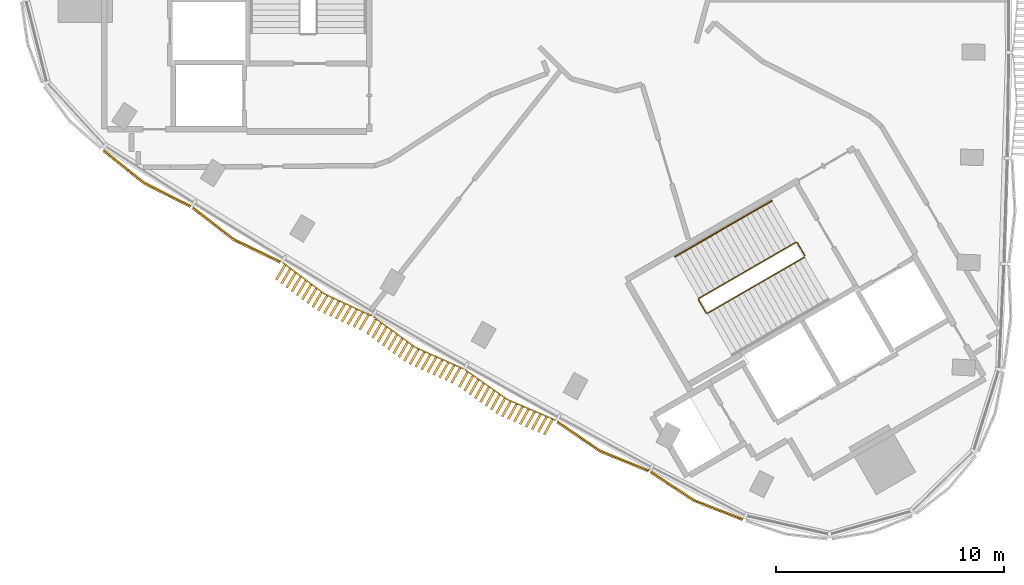
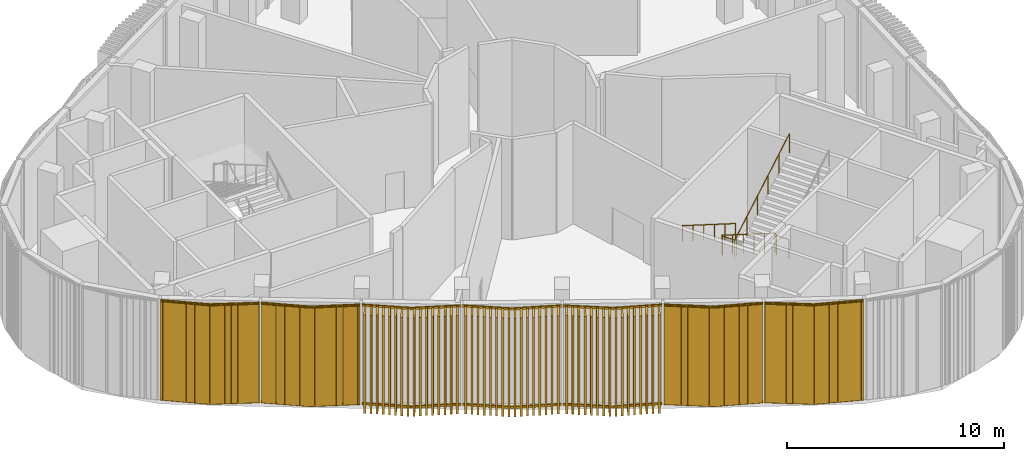
# One storey, part 7 of 11: 7 coverings, 2 railings.
"""IFC4 building model written with IfcOpenShell, lengths in metres."""

from ifc_helpers import new_model, si_unit, direction, frame, frame_2d, origin, origin_2d, place, context, subcontext, project, spatial, rectangle, circle, extrude, source, transform, mapped, material, type_object, element, save


model = new_model("IFC4")

# Units and contexts
model_context = context("Model", 3, precision=1e-05, world=origin(), true_north=direction((0.0, 1.0)))
body_context = subcontext(model_context, "Body", "Model", "MODEL_VIEW")
ifc_project = project(units=[si_unit("LENGTHUNIT", "METRE"), si_unit("AREAUNIT", "SQUARE_METRE"), si_unit("VOLUMEUNIT", "CUBIC_METRE"), si_unit("PLANEANGLEUNIT", "RADIAN"), si_unit("MASSUNIT", "GRAM", prefix="KILO")], contexts=[model_context])

# Site, building, storey
site_placement = place(None, origin())
site = spatial("IfcSite", under=ifc_project, at=site_placement, CompositionType="ELEMENT")
building_placement = place(site_placement, origin())
building = spatial("IfcBuilding", under=site, at=building_placement, Name="Tamra Quay Hotel Tower", CompositionType="ELEMENT")
storey_placement = place(building_placement, frame((0.0, 0.0, 306.60009765625)))
storey = spatial("IfcBuildingStorey", under=building, at=storey_placement, Name="L77", CompositionType="ELEMENT", Elevation=306.60009765625)

# Railings
ifc_material_1 = material(Name="Stair guard 1100")
railing_type_1 = type_object("IfcRailingType", Name="Stair guard 1100", PredefinedType="GUARDRAIL", material=ifc_material_1)
railing_1_placement = place(storey_placement, frame((8.245849609375, -11.221923828125, 0.0)))
element("IfcRailing", 1, at=railing_1_placement, inside=storey, type_object=railing_type_1, Name="GR", PredefinedType="GUARDRAIL", context=body_context, shape_type="SweptSolid", body=[
    extrude(circle(Radius=0.02392578125, at=origin_2d()), frame((0.0, 0.0, 1.076171875), z_axis=(-0.500043078269, 0.866000531106, 0.0), x_axis=(-0.866000531106, -0.500043078269, 0.0)), (0.0, 0.0, 1.0), 0.6591796875),
    extrude(circle(Radius=0.02392578125, at=origin_2d()), frame((-0.32958984375, 0.57080078125, 1.076171875), z_axis=(-0.41238007866, 0.110458949641, 0.904290601062), x_axis=(-0.258736085224, -0.965948051503, 0.0)), (0.0, 0.0, 1.0), 0.165771484375),
    extrude(circle(Radius=0.02392578125, at=origin_2d()), frame((-0.39794921875, 0.589111328125, 1.22607421875), z_axis=(-0.748672028886, -0.432247440648, 0.502645345365), x_axis=(0.500001252094, -0.866024680886, 0.0)), (0.0, 0.0, 1.0), 5.670166015625),
    extrude(circle(Radius=0.02392578125, at=origin_2d()), frame((-4.64306640625, -1.86181640625, 4.076171875), z_axis=(-0.258736085224, -0.965948051503, 0.0), x_axis=(0.965948051503, -0.258736085224, 0.0)), (0.0, 0.0, 1.0), 0.07080078125),
    extrude(circle(Radius=0.02392578125, at=origin_2d()), frame((-4.661376953125, -1.93017578125, 4.076171875), z_axis=(0.499765215335, -0.866160914346, 0.0), x_axis=(0.866160914346, 0.499765215335, 0.0)), (0.0, 0.0, 1.0), 0.658935546875),
    extrude(circle(Radius=0.02392578125, at=origin_2d()), frame((-4.33203125, -2.5009765625, 4.076171875), z_axis=(0.41238007866, -0.110458949641, 0.904290601062), x_axis=(0.258736085224, 0.965948051503, 0.0)), (0.0, 0.0, 1.0), 0.165771484375),
    extrude(circle(Radius=0.02392578125, at=origin_2d()), frame((-4.263671875, -2.519287109375, 4.22607421875), z_axis=(0.748677017577, 0.432268517826, 0.502619788556), x_axis=(-0.500017038671, 0.86601556628, 0.0)), (0.0, 0.0, 1.0), 5.67041015625),
    extrude(circle(Radius=0.02099609375, at=origin_2d()), origin(), (0.0, 0.0, 1.0), 1.052001953125),
    extrude(circle(Radius=0.02099609375, at=origin_2d()), frame((-0.32958984375, 0.57080078125, 0.0)), (0.0, 0.0, 1.0), 1.052001953125),
    extrude(circle(Radius=0.02099609375, at=origin_2d()), frame((-0.39794921875, 0.589111328125, 0.14990234375)), (0.0, 0.0, 1.0), 1.052001953125),
    extrude(circle(Radius=0.02099609375, at=origin_2d()), frame((-1.2470703125, 0.098876953125, 0.719970703125)), (0.0, 0.0, 1.0), 1.052001953125),
    extrude(circle(Radius=0.02099609375, at=origin_2d()), frame((-2.095947265625, -0.391357421875, 1.2900390625)), (0.0, 0.0, 1.0), 1.052001953125),
    extrude(circle(Radius=0.02099609375, at=origin_2d()), frame((-2.945068359375, -0.88134765625, 1.85986328125)), (0.0, 0.0, 1.0), 1.052001953125),
    extrude(circle(Radius=0.02099609375, at=origin_2d()), frame((-3.7939453125, -1.37158203125, 2.429931640625)), (0.0, 0.0, 1.0), 1.052001953125),
    extrude(circle(Radius=0.02099609375, at=origin_2d()), frame((-4.64306640625, -1.86181640625, 3.0)), (0.0, 0.0, 1.0), 1.052001953125),
    extrude(circle(Radius=0.02099609375, at=origin_2d()), frame((-4.661376953125, -1.93017578125, 3.0)), (0.0, 0.0, 1.0), 1.052001953125),
    extrude(circle(Radius=0.02099609375, at=origin_2d()), frame((-4.33203125, -2.5009765625, 3.0)), (0.0, 0.0, 1.0), 1.052001953125),
    extrude(circle(Radius=0.02099609375, at=origin_2d()), frame((-4.263671875, -2.519287109375, 3.14990234375)), (0.0, 0.0, 1.0), 1.052001953125),
    extrude(circle(Radius=0.02099609375, at=origin_2d()), frame((-3.41455078125, -2.029052734375, 3.719970703125)), (0.0, 0.0, 1.0), 1.052001953125),
    extrude(circle(Radius=0.02099609375, at=origin_2d()), frame((-2.5654296875, -1.538818359375, 4.2900390625)), (0.0, 0.0, 1.0), 1.052001953125),
    extrude(circle(Radius=0.02099609375, at=origin_2d()), frame((-1.716552734375, -1.048583984375, 4.85986328125)), (0.0, 0.0, 1.0), 1.052001953125),
    extrude(circle(Radius=0.02099609375, at=origin_2d()), frame((-0.867431640625, -0.558349609375, 5.429931640625)), (0.0, 0.0, 1.0), 1.052001953125),
    extrude(circle(Radius=0.02099609375, at=origin_2d()), frame((-0.018310546875, -0.068115234375, 6.0)), (0.0, 0.0, 1.0), 1.052001953125),
])
ifc_material_2 = material(Name="Stair handrail 900")
railing_type_2 = type_object("IfcRailingType", Name="Stair handrail 900", PredefinedType="HANDRAIL", material=ifc_material_2)
railing_2_placement = place(storey_placement, frame((6.7978515625, -8.814208984375, 0.14990234375)))
element("IfcRailing", 2, at=railing_2_placement, inside=storey, type_object=railing_type_2, Name="HR", PredefinedType="HANDRAIL", context=body_context, shape_type="SweptSolid", body=[
    extrude(circle(Radius=0.02392578125, at=origin_2d()), frame((0.0, 0.0, 0.8759765625), z_axis=(-0.748672028886, -0.432247440648, 0.502645345365), x_axis=(0.500001252094, -0.866024680886, 0.0)), (0.0, 0.0, 1.0), 5.670166015625),
    extrude(circle(Radius=0.02099609375, at=origin_2d()), origin(), (0.0, 0.0, 1.0), 0.851806640625),
    extrude(circle(Radius=0.02099609375, at=origin_2d()), frame((-0.84912109375, -0.490234375, 0.570068359375)), (0.0, 0.0, 1.0), 0.851806640625),
    extrude(circle(Radius=0.02099609375, at=origin_2d()), frame((-1.697998046875, -0.98046875, 1.14013671875)), (0.0, 0.0, 1.0), 0.851806640625),
    extrude(circle(Radius=0.02099609375, at=origin_2d()), frame((-2.547119140625, -1.470458984375, 1.7099609375)), (0.0, 0.0, 1.0), 0.851806640625),
    extrude(circle(Radius=0.02099609375, at=origin_2d()), frame((-3.39599609375, -1.960693359375, 2.280029296875)), (0.0, 0.0, 1.0), 0.851806640625),
    extrude(circle(Radius=0.02099609375, at=origin_2d()), frame((-4.2451171875, -2.450927734375, 2.85009765625)), (0.0, 0.0, 1.0), 0.851806640625),
])

# Coverings
ifc_material_3 = material(Name="Terracotta baguette extruded", Category="masonry")
covering_type_1 = type_object("IfcCoveringType", Name="BAGUETTE SCREEN SW-SHALLOW H5650", PredefinedType="USERDEFINED", material=ifc_material_3)
shared_shape_1 = source(origin(), body_context, "Body", "SweptSolid", [
    extrude(rectangle(XDim=2.284912109375, YDim=0.06005859375, at=frame_2d((1.142578125, 0.030029296875))), frame((-2.27880859375, -0.0576171875, -0.1201171875), z_axis=(0.0, 0.0, 1.0), x_axis=(0.994521895368, -0.104528463268, 0.0)), (0.0, 0.0, 1.0), 0.1201171875),
    extrude(rectangle(XDim=2.284912109375, YDim=0.06005859375, at=frame_2d((1.142578125, 0.030029296875))), frame((-2.27880859375, -0.0576171875, -5.64990234375), z_axis=(0.0, 0.0, 1.0), x_axis=(0.994521895368, -0.104528463268, 0.0)), (0.0, 0.0, 1.0), 0.1201171875),
    extrude(rectangle(XDim=0.094970703125, YDim=0.10009765625, at=frame_2d((0.04736328125, 0.050048828125))), frame((-2.2705078125, -0.13330078125, -5.590087890625)), (0.0, 0.0, 1.0), 5.530029296875),
    extrude(rectangle(XDim=0.094970703125, YDim=0.10009765625, at=frame_2d((0.04736328125, 0.050048828125))), frame((-2.171875, -0.1435546875, -5.590087890625)), (0.0, 0.0, 1.0), 5.530029296875),
    extrude(rectangle(XDim=0.094970703125, YDim=0.10009765625, at=frame_2d((0.04736328125, 0.050048828125))), frame((-2.072998046875, -0.154052734375, -5.590087890625)), (0.0, 0.0, 1.0), 5.530029296875),
    extrude(rectangle(XDim=0.094970703125, YDim=0.10009765625, at=frame_2d((0.04736328125, 0.050048828125))), frame((-1.97412109375, -0.164306640625, -5.590087890625)), (0.0, 0.0, 1.0), 5.530029296875),
    extrude(rectangle(XDim=0.094970703125, YDim=0.10009765625, at=frame_2d((0.04736328125, 0.050048828125))), frame((-1.87548828125, -0.1748046875, -5.590087890625)), (0.0, 0.0, 1.0), 5.530029296875),
    extrude(rectangle(XDim=0.094970703125, YDim=0.10009765625, at=frame_2d((0.04736328125, 0.050048828125))), frame((-1.776611328125, -0.18505859375, -5.590087890625)), (0.0, 0.0, 1.0), 5.530029296875),
    extrude(rectangle(XDim=0.094970703125, YDim=0.10009765625, at=frame_2d((0.04736328125, 0.050048828125))), frame((-1.677734375, -0.195556640625, -5.590087890625)), (0.0, 0.0, 1.0), 5.530029296875),
    extrude(rectangle(XDim=0.094970703125, YDim=0.10009765625, at=frame_2d((0.04736328125, 0.050048828125))), frame((-1.578857421875, -0.205810546875, -5.590087890625)), (0.0, 0.0, 1.0), 5.530029296875),
    extrude(rectangle(XDim=0.094970703125, YDim=0.10009765625, at=frame_2d((0.04736328125, 0.050048828125))), frame((-1.480224609375, -0.21630859375, -5.590087890625)), (0.0, 0.0, 1.0), 5.530029296875),
    extrude(rectangle(XDim=0.094970703125, YDim=0.10009765625, at=frame_2d((0.04736328125, 0.050048828125))), frame((-1.38134765625, -0.2265625, -5.590087890625)), (0.0, 0.0, 1.0), 5.530029296875),
    extrude(rectangle(XDim=0.094970703125, YDim=0.10009765625, at=frame_2d((0.04736328125, 0.050048828125))), frame((-1.282470703125, -0.237060546875, -5.590087890625)), (0.0, 0.0, 1.0), 5.530029296875),
    extrude(rectangle(XDim=0.094970703125, YDim=0.10009765625, at=frame_2d((0.04736328125, 0.050048828125))), frame((-1.183837890625, -0.247314453125, -5.590087890625)), (0.0, 0.0, 1.0), 5.530029296875),
    extrude(rectangle(XDim=0.094970703125, YDim=0.10009765625, at=frame_2d((0.04736328125, 0.050048828125))), frame((-1.0849609375, -0.2578125, -5.590087890625)), (0.0, 0.0, 1.0), 5.530029296875),
    extrude(rectangle(XDim=0.094970703125, YDim=0.10009765625, at=frame_2d((0.04736328125, 0.050048828125))), frame((-0.986083984375, -0.268310546875, -5.590087890625)), (0.0, 0.0, 1.0), 5.530029296875),
    extrude(rectangle(XDim=0.094970703125, YDim=0.10009765625, at=frame_2d((0.04736328125, 0.050048828125))), frame((-0.887451171875, -0.278564453125, -5.590087890625)), (0.0, 0.0, 1.0), 5.530029296875),
    extrude(rectangle(XDim=0.094970703125, YDim=0.10009765625, at=frame_2d((0.04736328125, 0.050048828125))), frame((-0.78857421875, -0.2890625, -5.590087890625)), (0.0, 0.0, 1.0), 5.530029296875),
    extrude(rectangle(XDim=0.094970703125, YDim=0.10009765625, at=frame_2d((0.04736328125, 0.050048828125))), frame((-0.689697265625, -0.29931640625, -5.590087890625)), (0.0, 0.0, 1.0), 5.530029296875),
    extrude(rectangle(XDim=0.094970703125, YDim=0.10009765625, at=frame_2d((0.04736328125, 0.050048828125))), frame((-0.5908203125, -0.309814453125, -5.590087890625)), (0.0, 0.0, 1.0), 5.530029296875),
    extrude(rectangle(XDim=0.094970703125, YDim=0.10009765625, at=frame_2d((0.04736328125, 0.050048828125))), frame((-0.4921875, -0.320068359375, -5.590087890625)), (0.0, 0.0, 1.0), 5.530029296875),
    extrude(rectangle(XDim=0.094970703125, YDim=0.10009765625, at=frame_2d((0.04736328125, 0.050048828125))), frame((-0.393310546875, -0.33056640625, -5.590087890625)), (0.0, 0.0, 1.0), 5.530029296875),
    extrude(rectangle(XDim=0.094970703125, YDim=0.10009765625, at=frame_2d((0.04736328125, 0.050048828125))), frame((-0.29443359375, -0.3408203125, -5.590087890625)), (0.0, 0.0, 1.0), 5.530029296875),
    extrude(rectangle(XDim=0.094970703125, YDim=0.10009765625, at=frame_2d((0.04736328125, 0.050048828125))), frame((-0.19580078125, -0.351318359375, -5.590087890625)), (0.0, 0.0, 1.0), 5.530029296875),
    extrude(rectangle(XDim=0.094970703125, YDim=0.10009765625, at=frame_2d((0.04736328125, 0.050048828125))), frame((-0.096923828125, -0.361572265625, -5.590087890625)), (0.0, 0.0, 1.0), 5.530029296875),
    extrude(rectangle(XDim=2.284912109375, YDim=0.06005859375, at=frame_2d((1.142578125, 0.030029296875))), frame((0.00634765625, -0.296630859375, -0.1201171875), z_axis=(0.0, 0.0, 1.0), x_axis=(0.994521895368, 0.104528463268, 0.0)), (0.0, 0.0, 1.0), 0.1201171875),
    extrude(rectangle(XDim=2.284912109375, YDim=0.06005859375, at=frame_2d((1.142578125, 0.030029296875))), frame((0.00634765625, -0.296630859375, -5.64990234375), z_axis=(0.0, 0.0, 1.0), x_axis=(0.994521895368, 0.104528463268, 0.0)), (0.0, 0.0, 1.0), 0.1201171875),
    extrude(rectangle(XDim=0.094970703125, YDim=0.10009765625, at=frame_2d((0.04736328125, 0.050048828125))), frame((0.001953125, -0.361572265625, -5.590087890625)), (0.0, 0.0, 1.0), 5.530029296875),
    extrude(rectangle(XDim=0.094970703125, YDim=0.10009765625, at=frame_2d((0.04736328125, 0.050048828125))), frame((0.100830078125, -0.351318359375, -5.590087890625)), (0.0, 0.0, 1.0), 5.530029296875),
    extrude(rectangle(XDim=0.094970703125, YDim=0.10009765625, at=frame_2d((0.04736328125, 0.050048828125))), frame((0.199462890625, -0.3408203125, -5.590087890625)), (0.0, 0.0, 1.0), 5.530029296875),
    extrude(rectangle(XDim=0.094970703125, YDim=0.10009765625, at=frame_2d((0.04736328125, 0.050048828125))), frame((0.29833984375, -0.33056640625, -5.590087890625)), (0.0, 0.0, 1.0), 5.530029296875),
    extrude(rectangle(XDim=0.094970703125, YDim=0.10009765625, at=frame_2d((0.04736328125, 0.050048828125))), frame((0.397216796875, -0.320068359375, -5.590087890625)), (0.0, 0.0, 1.0), 5.530029296875),
    extrude(rectangle(XDim=0.094970703125, YDim=0.10009765625, at=frame_2d((0.04736328125, 0.050048828125))), frame((0.495849609375, -0.309814453125, -5.590087890625)), (0.0, 0.0, 1.0), 5.530029296875),
    extrude(rectangle(XDim=0.094970703125, YDim=0.10009765625, at=frame_2d((0.04736328125, 0.050048828125))), frame((0.5947265625, -0.29931640625, -5.590087890625)), (0.0, 0.0, 1.0), 5.530029296875),
    extrude(rectangle(XDim=0.094970703125, YDim=0.10009765625, at=frame_2d((0.04736328125, 0.050048828125))), frame((0.693603515625, -0.2890625, -5.590087890625)), (0.0, 0.0, 1.0), 5.530029296875),
    extrude(rectangle(XDim=0.094970703125, YDim=0.10009765625, at=frame_2d((0.04736328125, 0.050048828125))), frame((0.792236328125, -0.278564453125, -5.590087890625)), (0.0, 0.0, 1.0), 5.530029296875),
    extrude(rectangle(XDim=0.094970703125, YDim=0.10009765625, at=frame_2d((0.04736328125, 0.050048828125))), frame((0.89111328125, -0.268310546875, -5.590087890625)), (0.0, 0.0, 1.0), 5.530029296875),
    extrude(rectangle(XDim=0.094970703125, YDim=0.10009765625, at=frame_2d((0.04736328125, 0.050048828125))), frame((0.989990234375, -0.2578125, -5.590087890625)), (0.0, 0.0, 1.0), 5.530029296875),
    extrude(rectangle(XDim=0.094970703125, YDim=0.10009765625, at=frame_2d((0.04736328125, 0.050048828125))), frame((1.0888671875, -0.247314453125, -5.590087890625)), (0.0, 0.0, 1.0), 5.530029296875),
    extrude(rectangle(XDim=0.094970703125, YDim=0.10009765625, at=frame_2d((0.04736328125, 0.050048828125))), frame((1.1875, -0.237060546875, -5.590087890625)), (0.0, 0.0, 1.0), 5.530029296875),
    extrude(rectangle(XDim=0.094970703125, YDim=0.10009765625, at=frame_2d((0.04736328125, 0.050048828125))), frame((1.286376953125, -0.2265625, -5.590087890625)), (0.0, 0.0, 1.0), 5.530029296875),
    extrude(rectangle(XDim=0.094970703125, YDim=0.10009765625, at=frame_2d((0.04736328125, 0.050048828125))), frame((1.38525390625, -0.21630859375, -5.590087890625)), (0.0, 0.0, 1.0), 5.530029296875),
    extrude(rectangle(XDim=0.094970703125, YDim=0.10009765625, at=frame_2d((0.04736328125, 0.050048828125))), frame((1.48388671875, -0.205810546875, -5.590087890625)), (0.0, 0.0, 1.0), 5.530029296875),
    extrude(rectangle(XDim=0.094970703125, YDim=0.10009765625, at=frame_2d((0.04736328125, 0.050048828125))), frame((1.582763671875, -0.195556640625, -5.590087890625)), (0.0, 0.0, 1.0), 5.530029296875),
    extrude(rectangle(XDim=0.094970703125, YDim=0.10009765625, at=frame_2d((0.04736328125, 0.050048828125))), frame((1.681640625, -0.18505859375, -5.590087890625)), (0.0, 0.0, 1.0), 5.530029296875),
    extrude(rectangle(XDim=0.094970703125, YDim=0.10009765625, at=frame_2d((0.04736328125, 0.050048828125))), frame((1.7802734375, -0.1748046875, -5.590087890625)), (0.0, 0.0, 1.0), 5.530029296875),
    extrude(rectangle(XDim=0.094970703125, YDim=0.10009765625, at=frame_2d((0.04736328125, 0.050048828125))), frame((1.879150390625, -0.164306640625, -5.590087890625)), (0.0, 0.0, 1.0), 5.530029296875),
    extrude(rectangle(XDim=0.094970703125, YDim=0.10009765625, at=frame_2d((0.04736328125, 0.050048828125))), frame((1.97802734375, -0.154052734375, -5.590087890625)), (0.0, 0.0, 1.0), 5.530029296875),
    extrude(rectangle(XDim=0.094970703125, YDim=0.10009765625, at=frame_2d((0.04736328125, 0.050048828125))), frame((2.076904296875, -0.1435546875, -5.590087890625)), (0.0, 0.0, 1.0), 5.530029296875),
    extrude(rectangle(XDim=0.094970703125, YDim=0.10009765625, at=frame_2d((0.04736328125, 0.050048828125))), frame((2.175537109375, -0.13330078125, -5.590087890625)), (0.0, 0.0, 1.0), 5.530029296875),
])
for number, where, z_axis, x_axis, name in (
    (3, (-20.537109375, -7.7802734375, 5.64990234375), (0.0, 0.0, 1.0), (0.841664982432, -0.5400000531, 0.0), "Baguette screen L77.SW.f00"),
    (4, (-16.617919921875, -10.251953125, 5.64990234375), (0.0, 0.0, 1.0), (0.849981751461, -0.526812131774, 0.0), "Baguette screen L77.SW.f01"),
    (5, (-0.5693359375, -19.517333984375, 5.64990234375), (0.0, 0.0, 1.0), (0.881223564868, -0.472699723631, 0.0), "Baguette screen L77.SW.f05"),
    (6, (3.53076171875, -21.67578125, 5.64990234375), (0.0, 0.0, 1.0), (0.888486255245, -0.458903229712, 0.0), "Baguette screen L77.SW.f06"),
):
    element("IfcCovering", number, at=place(storey_placement, frame(where, z_axis=z_axis, x_axis=x_axis)), inside=storey, type_object=covering_type_1, Name=name, ObjectType="BAGUETTE SCREEN", PredefinedType="USERDEFINED", context=body_context, shape_type="MappedRepresentation", body=[
        mapped(shared_shape_1, transform((0.0, 0.0, 0.0), scale=1.0)),
    ])
covering_type_2 = type_object("IfcCoveringType", Name="BAGUETTE SCREEN SW-DEEP H5650", PredefinedType="USERDEFINED", material=ifc_material_3)
shared_shape_2 = source(origin(), body_context, "Body", "SweptSolid", [
    extrude(rectangle(XDim=2.284912109375, YDim=0.06005859375, at=frame_2d((1.142578125, 0.030029296875))), frame((-2.27880859375, -0.0576171875, -0.1201171875), z_axis=(0.0, 0.0, 1.0), x_axis=(0.994521895368, -0.104528463268, 0.0)), (0.0, 0.0, 1.0), 0.1201171875),
    extrude(rectangle(XDim=2.284912109375, YDim=0.06005859375, at=frame_2d((1.142578125, 0.030029296875))), frame((-2.27880859375, -0.0576171875, -5.64990234375), z_axis=(0.0, 0.0, 1.0), x_axis=(0.994521895368, -0.104528463268, 0.0)), (0.0, 0.0, 1.0), 0.1201171875),
    extrude(rectangle(XDim=0.10009765625, YDim=0.780029296875, at=frame_2d((0.050048828125, 0.39013671875))), frame((-2.180419921875, -0.822998046875, -5.590087890625)), (0.0, 0.0, 1.0), 5.530029296875),
    extrude(rectangle(XDim=0.10009765625, YDim=0.780029296875, at=frame_2d((0.050048828125, 0.39013671875))), frame((-1.896484375, -0.852783203125, -5.590087890625)), (0.0, 0.0, 1.0), 5.530029296875),
    extrude(rectangle(XDim=0.10009765625, YDim=0.780029296875, at=frame_2d((0.050048828125, 0.39013671875))), frame((-1.6123046875, -0.882568359375, -5.590087890625)), (0.0, 0.0, 1.0), 5.530029296875),
    extrude(rectangle(XDim=0.10009765625, YDim=0.780029296875, at=frame_2d((0.050048828125, 0.39013671875))), frame((-1.328369140625, -0.91259765625, -5.590087890625)), (0.0, 0.0, 1.0), 5.530029296875),
    extrude(rectangle(XDim=0.10009765625, YDim=0.780029296875, at=frame_2d((0.050048828125, 0.39013671875))), frame((-1.044189453125, -0.9423828125, -5.590087890625)), (0.0, 0.0, 1.0), 5.530029296875),
    extrude(rectangle(XDim=0.10009765625, YDim=0.780029296875, at=frame_2d((0.050048828125, 0.39013671875))), frame((-0.76025390625, -0.97216796875, -5.590087890625)), (0.0, 0.0, 1.0), 5.530029296875),
    extrude(rectangle(XDim=0.10009765625, YDim=0.780029296875, at=frame_2d((0.050048828125, 0.39013671875))), frame((-0.47607421875, -1.001953125, -5.590087890625)), (0.0, 0.0, 1.0), 5.530029296875),
    extrude(rectangle(XDim=0.10009765625, YDim=0.780029296875, at=frame_2d((0.050048828125, 0.39013671875))), frame((-0.192138671875, -1.031982421875, -5.590087890625)), (0.0, 0.0, 1.0), 5.530029296875),
    extrude(rectangle(XDim=2.284912109375, YDim=0.06005859375, at=frame_2d((1.142578125, 0.030029296875))), frame((0.00634765625, -0.296630859375, -0.1201171875), z_axis=(0.0, 0.0, 1.0), x_axis=(0.994521895368, 0.104528463268, 0.0)), (0.0, 0.0, 1.0), 0.1201171875),
    extrude(rectangle(XDim=2.284912109375, YDim=0.06005859375, at=frame_2d((1.142578125, 0.030029296875))), frame((0.00634765625, -0.296630859375, -5.64990234375), z_axis=(0.0, 0.0, 1.0), x_axis=(0.994521895368, 0.104528463268, 0.0)), (0.0, 0.0, 1.0), 0.1201171875),
    extrude(rectangle(XDim=0.10009765625, YDim=0.780029296875, at=frame_2d((0.050048828125, 0.39013671875))), frame((0.092041015625, -1.031982421875, -5.590087890625)), (0.0, 0.0, 1.0), 5.530029296875),
    extrude(rectangle(XDim=0.10009765625, YDim=0.780029296875, at=frame_2d((0.050048828125, 0.39013671875))), frame((0.3759765625, -1.001953125, -5.590087890625)), (0.0, 0.0, 1.0), 5.530029296875),
    extrude(rectangle(XDim=0.10009765625, YDim=0.780029296875, at=frame_2d((0.050048828125, 0.39013671875))), frame((0.66015625, -0.97216796875, -5.590087890625)), (0.0, 0.0, 1.0), 5.530029296875),
    extrude(rectangle(XDim=0.10009765625, YDim=0.780029296875, at=frame_2d((0.050048828125, 0.39013671875))), frame((0.9443359375, -0.9423828125, -5.590087890625)), (0.0, 0.0, 1.0), 5.530029296875),
    extrude(rectangle(XDim=0.10009765625, YDim=0.780029296875, at=frame_2d((0.050048828125, 0.39013671875))), frame((1.228271484375, -0.91259765625, -5.590087890625)), (0.0, 0.0, 1.0), 5.530029296875),
    extrude(rectangle(XDim=0.10009765625, YDim=0.780029296875, at=frame_2d((0.050048828125, 0.39013671875))), frame((1.512451171875, -0.882568359375, -5.590087890625)), (0.0, 0.0, 1.0), 5.530029296875),
    extrude(rectangle(XDim=0.10009765625, YDim=0.780029296875, at=frame_2d((0.050048828125, 0.39013671875))), frame((1.79638671875, -0.852783203125, -5.590087890625)), (0.0, 0.0, 1.0), 5.530029296875),
    extrude(rectangle(XDim=0.10009765625, YDim=0.780029296875, at=frame_2d((0.050048828125, 0.39013671875))), frame((2.08056640625, -0.822998046875, -5.590087890625)), (0.0, 0.0, 1.0), 5.530029296875),
])
for number, where, z_axis, x_axis, name in (
    (7, (-12.66064453125, -12.661865234375, 5.64990234375), (0.0, 0.0, 1.0), (0.858103437747, -0.513476864257, 0.0), "Baguette screen L77.SW.f02"),
    (8, (-8.666015625, -15.010009765625, 5.64990234375), (0.0, 0.0, 1.0), (0.866025403784, -0.5, 0.0), "Baguette screen L77.SW.f03"),
    (9, (-4.63525390625, -17.29541015625, 5.64990234375), (0.0, 0.0, 1.0), (0.873735727575, -0.486400944035, 0.0), "Baguette screen L77.SW.f04"),
):
    element("IfcCovering", number, at=place(storey_placement, frame(where, z_axis=z_axis, x_axis=x_axis)), inside=storey, type_object=covering_type_2, Name=name, ObjectType="BAGUETTE SCREEN", PredefinedType="USERDEFINED", context=body_context, shape_type="MappedRepresentation", body=[
        mapped(shared_shape_2, transform((0.0, 0.0, 0.0), scale=1.0)),
    ])

save(model, "model.ifc")
